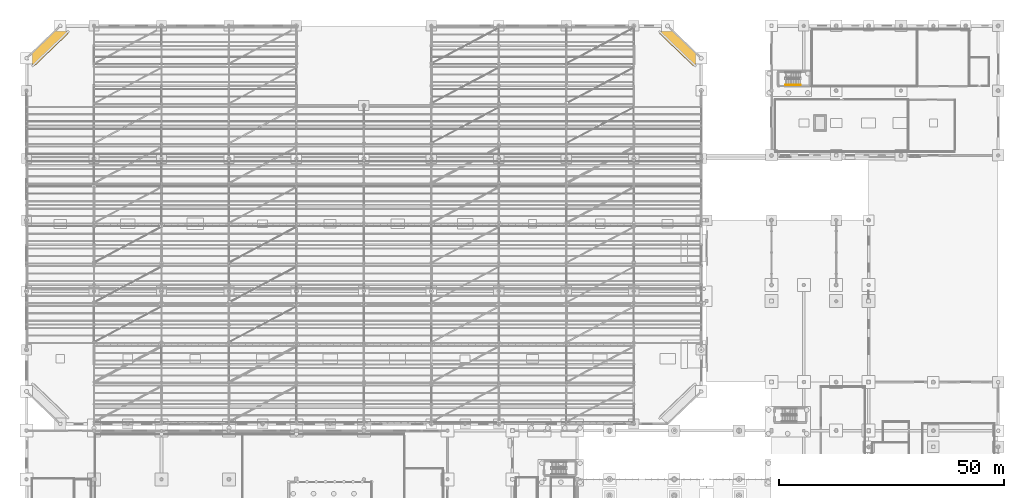
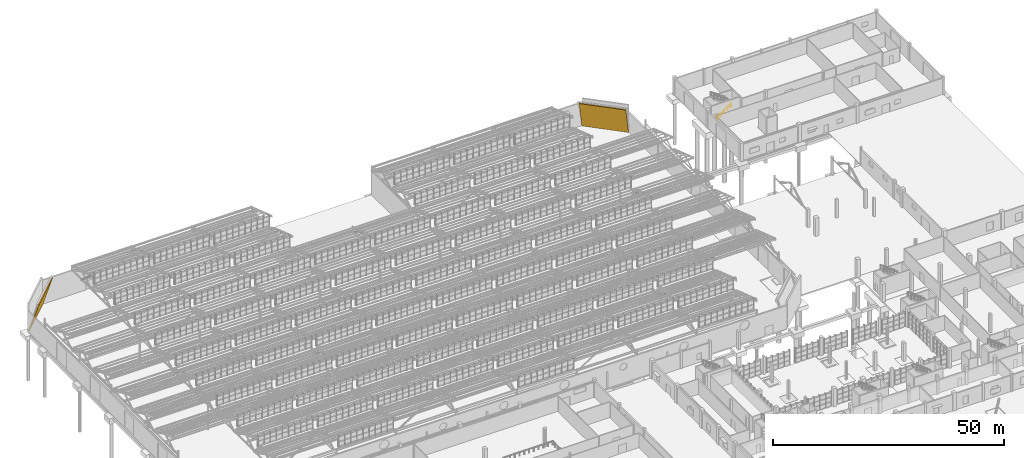
# One storey, part 283 of 285: 2 coverings, 1 railing.
"""IFC4 building model written with IfcOpenShell, lengths in metres."""

from ifc_helpers import new_model, si_unit, direction, frame, origin, origin_2d, place, context, subcontext, project, spatial, polyline, circle, outline, extrude, material, layer, layer_set, type_object, element, save


model = new_model("IFC4")

# Units and contexts
model_context = context("Model", 3, precision=1e-05, world=origin(), true_north=direction((0.0, 1.0)))
body_context = subcontext(model_context, "Body", "Model", "MODEL_VIEW")
ifc_project = project(units=[si_unit("LENGTHUNIT", "METRE"), si_unit("AREAUNIT", "SQUARE_METRE"), si_unit("VOLUMEUNIT", "CUBIC_METRE"), si_unit("PLANEANGLEUNIT", "RADIAN"), si_unit("MASSUNIT", "GRAM", prefix="KILO")], contexts=[model_context])

# Site, building, storey
site_placement = place(None, origin())
site = spatial("IfcSite", under=ifc_project, at=site_placement, CompositionType="ELEMENT")
building_placement = place(site_placement, origin())
building = spatial("IfcBuilding", under=site, at=building_placement, Name="Solanera Park Tramway Depot", CompositionType="ELEMENT")
storey_placement = place(building_placement, origin())
storey = spatial("IfcBuildingStorey", under=building, at=storey_placement, Name="L00", CompositionType="ELEMENT", Elevation=0.0)

# Coverings
ifc_material_1 = material(Name="Board-marked architectural concrete N40", Category="concrete")
ifc_layer_1 = layer(ifc_material_1, 0.280029296875)
ifc_layer_set_1 = layer_set([ifc_layer_1], Name="Board-marked architectural concrete N40")
covering_type = type_object("IfcCoveringType", Name="Board-Marked Carved Concrete Facet 280", PredefinedType="CLADDING", material=ifc_layer_set_1)
covering_1_placement = place(storey_placement, frame((150.0, 136.800048828125, 0.0), z_axis=(0.664049872585, 0.691723308325, 0.283825001434), x_axis=(-0.721389667345, 0.692529384104, 0.0)))
element("IfcCovering", 1, at=covering_1_placement, inside=storey, type_object=covering_type, Name="V1 Carved Sloping Corner Plane NE (16.5 deg)", PredefinedType="CLADDING", context=body_context, shape_type="SweptSolid", body=[
    extrude(outline(polyline([(0.0, 0.0), (10.39660025572707, 0.0), (10.484942419621687, 7.738144585721036), (0.08834216389461635, 7.738144585721036), (0.0, 0.0)])), origin(), (0.0, 0.0, -1.0), 0.280029296875),
])
covering_2_placement = place(storey_placement, frame((7.5, 144.0, 0.0), z_axis=(-0.664049872585, 0.691723308325, 0.283825001434), x_axis=(-0.721389667345, -0.692529384104, 0.0)))
element("IfcCovering", 2, at=covering_2_placement, inside=storey, type_object=covering_type, Name="V1 Carved Sloping Corner Plane NW (16.5 deg)", PredefinedType="CLADDING", context=body_context, shape_type="SweptSolid", body=[
    extrude(outline(polyline([(0.0, 0.0), (10.39660025572707, 0.0), (10.308258091832453, 7.738144585721036), (-0.08834216389461635, 7.738144585721036), (0.0, 0.0)])), origin(), (0.0, 0.0, -1.0), 0.280029296875),
])

# Railing
ifc_material_2 = material(Name="Brushed stainless steel 316 handrail", Category="steel")
ifc_layer_2 = layer(ifc_material_2, 0.050048828125)
ifc_layer_set_2 = layer_set([ifc_layer_2], Name="Brushed stainless steel 316 handrail")
railing_type = type_object("IfcRailingType", Name="Stair Pitch Tubular Handrail 920", PredefinedType="HANDRAIL", material=ifc_layer_set_2)
railing_placement = place(storey_placement, frame((168.699951171875, 130.85009765625, 0.1845703125)))
element("IfcRailing", 3, at=railing_placement, inside=storey, type_object=railing_type, Name="ST-11 L00 Pitch Handrail 1", PredefinedType="HANDRAIL", context=body_context, shape_type="SweptSolid", body=[
    extrude(circle(Radius=0.02392578125, at=origin_2d()), frame((0.0, 0.0, 0.89599609375), z_axis=(0.834876476806, 0.0, 0.550437342915), x_axis=(0.0, 1.0, 0.0)), (0.0, 0.0, 1.0), 4.024658203125),
    extrude(circle(Radius=0.02099609375, at=origin_2d()), origin(), (0.0, 0.0, 1.0), 0.871826171875),
    extrude(circle(Radius=0.02099609375, at=origin_2d()), frame((0.840087890625, 0.0, 0.5537109375)), (0.0, 0.0, 1.0), 0.871826171875),
    extrude(circle(Radius=0.02099609375, at=origin_2d()), frame((1.68017578125, 0.0, 1.107666015625)), (0.0, 0.0, 1.0), 0.871826171875),
    extrude(circle(Radius=0.02099609375, at=origin_2d()), frame((2.52001953125, 0.0, 1.66162109375)), (0.0, 0.0, 1.0), 0.871826171875),
    extrude(circle(Radius=0.02099609375, at=origin_2d()), frame((3.360107421875, 0.0, 2.21533203125)), (0.0, 0.0, 1.0), 0.871826171875),
])

save(model, "model.ifc")
